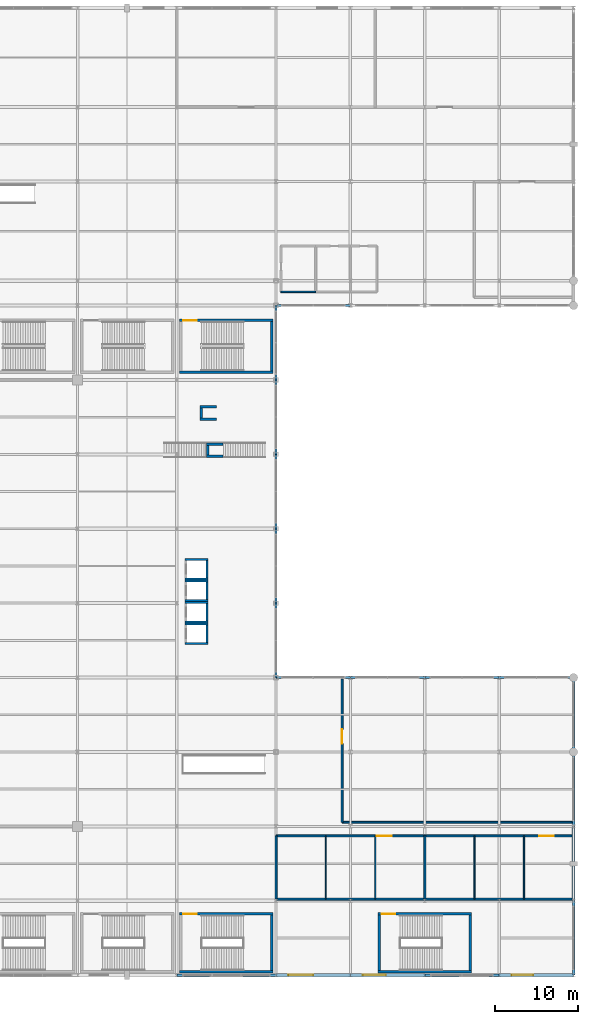
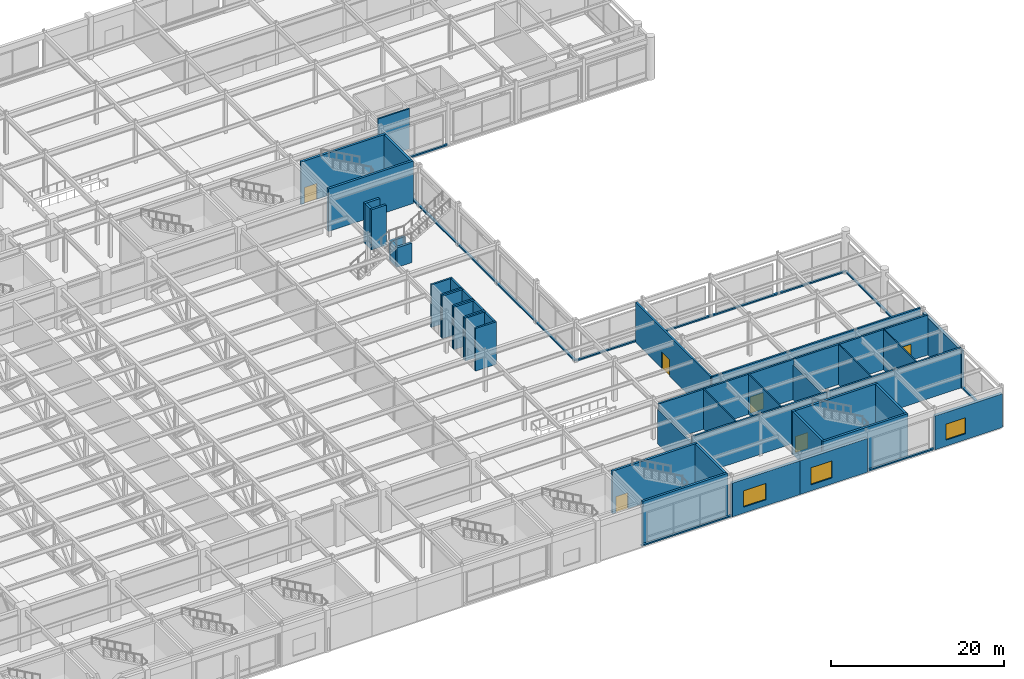
# One storey, part 95 of 108: 60 walls, 6 doors, 3 windows, 9 openings.
"""IFC4 building model written with IfcOpenShell, lengths in metres."""

from ifc_helpers import new_model, si_unit, direction, frame, frame_2d, origin, place, context, subcontext, project, spatial, rectangle, extrude, material, layer, layer_set, type_object, element, fill, save


model = new_model("IFC4")

# Units and contexts
model_context = context("Model", 3, precision=1e-05, world=origin(), true_north=direction((0.0, 1.0)))
body_context = subcontext(model_context, "Body", "Model", "MODEL_VIEW")
ifc_project = project(units=[si_unit("LENGTHUNIT", "METRE"), si_unit("AREAUNIT", "SQUARE_METRE"), si_unit("VOLUMEUNIT", "CUBIC_METRE"), si_unit("PLANEANGLEUNIT", "RADIAN"), si_unit("MASSUNIT", "GRAM", prefix="KILO")], contexts=[model_context])

# Site, building, storey
site_placement = place(None, origin())
site = spatial("IfcSite", under=ifc_project, at=site_placement, CompositionType="ELEMENT")
building_placement = place(site_placement, origin())
building = spatial("IfcBuilding", under=site, at=building_placement, Name="Kaldorvane Square Convention Centre", CompositionType="ELEMENT")
storey_placement = place(building_placement, frame((0.0, 0.0, 12.0)))
storey = spatial("IfcBuildingStorey", under=building, at=storey_placement, Name="L02", CompositionType="ELEMENT", Elevation=12.0)

# Walls
ifc_material_1 = material(Name="Reinforced Concrete Masonry Acoustic Partition", Category="masonry")
ifc_layer_1 = layer(ifc_material_1, 0.2400054931640625)
ifc_layer_set_1 = layer_set([ifc_layer_1], Name="Reinforced Concrete Masonry Acoustic Partition")
wall_type_1 = type_object("IfcWallType", Name="WL-ACO-240", PredefinedType="PARTITIONING", material=ifc_layer_set_1)
wall_1_placement = place(storey_placement, frame((138.0, 9.199996948242188, 0.0), z_axis=(0.0, 0.0, 1.0), x_axis=(1.0, 0.0, 0.0)))
element("IfcWall", 1, at=wall_1_placement, inside=storey, type_object=wall_type_1, Name="Meeting Room 205 S Wall", PredefinedType="PARTITIONING", context=body_context, shape_type="SweptSolid", body=[
    extrude(rectangle(XDim=18.0, YDim=0.2400054931640625, at=frame_2d((9.0, 0.0))), origin(), (0.0, 0.0, 1.0), 5.649993896484375),
])
wall_2_placement = place(storey_placement, frame((156.0, 9.199996948242188, 0.0), z_axis=(0.0, 0.0, 1.0), x_axis=(0.0, 1.0, 0.0)))
element("IfcWall", 2, at=wall_2_placement, inside=storey, type_object=wall_type_1, Name="Meeting Room 205 E Wall", PredefinedType="PARTITIONING", context=body_context, shape_type="SweptSolid", body=[
    extrude(rectangle(XDim=7.6500091552734375, YDim=0.2400054931640625, at=frame_2d((3.82501220703125, 0.0))), origin(), (0.0, 0.0, 1.0), 4.88299560546875),
])

# Wall, opening, door
wall_3_placement = place(storey_placement, frame((156.0, 16.850006103515625, 0.0), z_axis=(0.0, 0.0, 1.0), x_axis=(-1.0, 0.0, 0.0)))
wall_3 = element("IfcWall", 3, at=wall_3_placement, inside=storey, type_object=wall_type_1, Name="Meeting Room 205 N Wall", PredefinedType="PARTITIONING", context=body_context, shape_type="SweptSolid", body=[
    extrude(rectangle(XDim=18.0, YDim=0.2400054931640625, at=frame_2d((9.0, 0.0))), origin(), (0.0, 0.0, 1.0), 5.649993896484375),
])
opening_1_placement = place(wall_3_placement, frame((4.0, 0.0, 0.0)))
opening_1 = element("IfcOpeningElement", 4, at=opening_1_placement, cuts=wall_3, Name="Opening ID-06", PredefinedType="OPENING", context=body_context, shape_type="SweptSolid", body=[
    extrude(rectangle(XDim=1.8000030517578125, YDim=2.3000030517578125, at=frame_2d((0.899993896484375, 1.149993896484375))), frame((0.0, 0.135009765625, 0.0), z_axis=(0.0, -1.0, 0.0), x_axis=(1.0, 0.0, 0.0)), (0.0, 0.0, 1.0), 0.2700042724609375),
])
ifc_material_2 = material(Name="Architectural Solid-Core White Oak")
door_type_1 = type_object("IfcDoorType", Name="DR-MEET-1800X2300", OperationType="DOUBLE_DOOR_SINGLE_SWING", PredefinedType="DOOR", material=ifc_material_2)
door_1_placement = place(opening_1_placement, origin())
door_1 = element("IfcDoor", 5, at=door_1_placement, inside=storey, type_object=door_type_1, Name="Meeting Room 205 Door 1", OperationType="DOUBLE_DOOR_SINGLE_SWING", OverallHeight=2.3000030517578125, OverallWidth=1.8000030517578125, PredefinedType="DOOR", context=body_context, shape_type="SweptSolid", body=[
    extrude(rectangle(XDim=1.8000030517578125, YDim=2.3000030517578125, at=frame_2d((0.899993896484375, 1.149993896484375))), frame((0.0, 0.024993896484375, 0.0), z_axis=(0.0, -1.0, 0.0), x_axis=(1.0, 0.0, 0.0)), (0.0, 0.0, 1.0), 0.0500030517578125),
])
fill(opening_1, door_1)

# Walls
wall_4_placement = place(storey_placement, frame((138.0, 16.850006103515625, 0.0), z_axis=(0.0, 0.0, 1.0), x_axis=(0.0, -1.0, 0.0)))
element("IfcWall", 6, at=wall_4_placement, inside=storey, type_object=wall_type_1, Name="Meeting Room 205 W Wall", PredefinedType="PARTITIONING", context=body_context, shape_type="SweptSolid", body=[
    extrude(rectangle(XDim=7.6500091552734375, YDim=0.2400054931640625, at=frame_2d((3.82501220703125, 0.0))), origin(), (0.0, 0.0, 1.0), 4.88299560546875),
])
wall_5_placement = place(storey_placement, frame((156.0, 9.199996948242188, 0.0), z_axis=(0.0, 0.0, 1.0), x_axis=(1.0, 0.0, 0.0)))
element("IfcWall", 7, at=wall_5_placement, inside=storey, type_object=wall_type_1, Name="Meeting Room 206 S Wall", PredefinedType="PARTITIONING", context=body_context, shape_type="SweptSolid", body=[
    extrude(rectangle(XDim=17.80999755859375, YDim=0.2400054931640625, at=frame_2d((8.904998779296875, 0.0))), origin(), (0.0, 0.0, 1.0), 5.649993896484375),
])

# Wall, opening, door
wall_6_placement = place(storey_placement, frame((173.80999755859375, 16.850006103515625, 0.0), z_axis=(0.0, 0.0, 1.0), x_axis=(-1.0, 0.0, 0.0)))
wall_6 = element("IfcWall", 8, at=wall_6_placement, inside=storey, type_object=wall_type_1, Name="Meeting Room 206 N Wall", PredefinedType="PARTITIONING", context=body_context, shape_type="SweptSolid", body=[
    extrude(rectangle(XDim=17.80999755859375, YDim=0.2400054931640625, at=frame_2d((8.904998779296875, 0.0))), origin(), (0.0, 0.0, 1.0), 5.649993896484375),
])
opening_2_placement = place(wall_6_placement, frame((2.1999969482421875, 0.0, 0.0)))
opening_2 = element("IfcOpeningElement", 9, at=opening_2_placement, cuts=wall_6, Name="Opening ID-06", PredefinedType="OPENING", context=body_context, shape_type="SweptSolid", body=[
    extrude(rectangle(XDim=1.8000030517578125, YDim=2.3000030517578125, at=frame_2d((0.899993896484375, 1.149993896484375))), frame((0.0, 0.135009765625, 0.0), z_axis=(0.0, -1.0, 0.0), x_axis=(1.0, 0.0, 0.0)), (0.0, 0.0, 1.0), 0.2700042724609375),
])
door_2_placement = place(opening_2_placement, origin())
door_2 = element("IfcDoor", 10, at=door_2_placement, inside=storey, type_object=door_type_1, Name="Meeting Room 206 Door 1", OperationType="DOUBLE_DOOR_SINGLE_SWING", OverallHeight=2.3000030517578125, OverallWidth=1.8000030517578125, PredefinedType="DOOR", context=body_context, shape_type="SweptSolid", body=[
    extrude(rectangle(XDim=1.8000030517578125, YDim=2.3000030517578125, at=frame_2d((0.899993896484375, 1.149993896484375))), frame((0.0, 0.024993896484375, 0.0), z_axis=(0.0, -1.0, 0.0), x_axis=(1.0, 0.0, 0.0)), (0.0, 0.0, 1.0), 0.0500030517578125),
])
fill(opening_2, door_2)

# Wall
wall_7_placement = place(storey_placement, frame((146.0, 18.5, 0.0), z_axis=(0.0, 0.0, 1.0), x_axis=(1.0, 0.0, 0.0)))
element("IfcWall", 11, at=wall_7_placement, inside=storey, type_object=wall_type_1, Name="Meeting Room 207 S Wall", PredefinedType="PARTITIONING", context=body_context, shape_type="SweptSolid", body=[
    extrude(rectangle(XDim=27.80999755859375, YDim=0.2400054931640625, at=frame_2d((13.904998779296875, 0.0))), origin(), (0.0, 0.0, 1.0), 5.649993896484375),
])

# Wall, opening, door
wall_8_placement = place(storey_placement, frame((146.0, 35.80000305175781, 0.0), z_axis=(0.0, 0.0, 1.0), x_axis=(0.0, -1.0, 0.0)))
wall_8 = element("IfcWall", 12, at=wall_8_placement, inside=storey, type_object=wall_type_1, Name="Meeting Room 207 W Wall", PredefinedType="PARTITIONING", context=body_context, shape_type="SweptSolid", body=[
    extrude(rectangle(XDim=17.300003051757812, YDim=0.2400054931640625, at=frame_2d((8.649993896484375, 0.0))), origin(), (0.0, 0.0, 1.0), 5.649993896484375),
])
opening_3_placement = place(wall_8_placement, frame((6.029998779296875, 0.0, 0.0)))
opening_3 = element("IfcOpeningElement", 13, at=opening_3_placement, cuts=wall_8, Name="Opening ID-06", PredefinedType="OPENING", context=body_context, shape_type="SweptSolid", body=[
    extrude(rectangle(XDim=1.8000030517578125, YDim=2.3000030517578125, at=frame_2d((0.899993896484375, 1.149993896484375))), frame((0.0, 0.135009765625, 0.0), z_axis=(0.0, -1.0, 0.0), x_axis=(1.0, 0.0, 0.0)), (0.0, 0.0, 1.0), 0.2700042724609375),
])
door_3_placement = place(opening_3_placement, origin())
door_3 = element("IfcDoor", 14, at=door_3_placement, inside=storey, type_object=door_type_1, Name="Meeting Room 207 Door 1", OperationType="DOUBLE_DOOR_SINGLE_SWING", OverallHeight=2.3000030517578125, OverallWidth=1.8000030517578125, PredefinedType="DOOR", context=body_context, shape_type="SweptSolid", body=[
    extrude(rectangle(XDim=1.8000030517578125, YDim=2.3000030517578125, at=frame_2d((0.899993896484375, 1.149993896484375))), frame((0.0, 0.024993896484375, 0.0), z_axis=(0.0, -1.0, 0.0), x_axis=(1.0, 0.0, 0.0)), (0.0, 0.0, 1.0), 0.0500030517578125),
])
fill(opening_3, door_3)

# Wall
ifc_material_3 = material(Name="Fire-Rated Gypsum Board on Acoustic Steel Studs", Category="steel")
ifc_layer_2 = layer(ifc_material_3, 0.1999969482421875)
ifc_layer_set_2 = layer_set([ifc_layer_2], Name="Fire-Rated Gypsum Board on Acoustic Steel Studs")
wall_type_2 = type_object("IfcWallType", Name="WL-CORR-200", PredefinedType="PARTITIONING", material=ifc_layer_set_2)
wall_9_placement = place(storey_placement, frame((138.60000610351562, 82.64999389648438, 0.0), z_axis=(0.0, 0.0, 1.0), x_axis=(1.0, 0.0, 0.0)))
element("IfcWall", 15, at=wall_9_placement, inside=storey, type_object=wall_type_2, Name="East Concourse Men's Restroom (L02) S Wall", PredefinedType="PARTITIONING", context=body_context, shape_type="SweptSolid", body=[
    extrude(rectangle(XDim=4.1999969482421875, YDim=0.1999969482421875, at=frame_2d((2.100006103515625, 0.0))), origin(), (0.0, 0.0, 1.0), 5.649993896484375),
])

# Wall, opening, window
ifc_material_4 = material(Name="Concrete f'c = 42 MPa (Normalweight)", Category="concrete")
ifc_layer_3 = layer(ifc_material_4, 0.3800048828125)
ifc_layer_set_3 = layer_set([ifc_layer_3], Name="Concrete f'c = 42 MPa (Normalweight)")
wall_type_3 = type_object("IfcWallType", Name="WL-EXT-380", PredefinedType="STANDARD", material=ifc_layer_set_3)
wall_10_placement = place(storey_placement, frame((138.0, 0.0, 0.0), z_axis=(0.0, 0.0, 1.0), x_axis=(1.0, 0.0, 0.0)))
wall_10 = element("IfcWall", 16, at=wall_10_placement, inside=storey, type_object=wall_type_3, Name="South Square Brutalist Facade Wall (L02)", PredefinedType="STANDARD", context=body_context, shape_type="SweptSolid", body=[
    extrude(rectangle(XDim=9.0, YDim=0.3800048828125, at=frame_2d((4.5, 0.0))), origin(), (0.0, 0.0, 1.0), 4.746002197265625),
])
opening_4_placement = place(wall_10_placement, frame((1.5, 0.0, 0.850006103515625)))
opening_4 = element("IfcOpeningElement", 17, at=opening_4_placement, cuts=wall_10, Name="Opening W-16", PredefinedType="OPENING", context=body_context, shape_type="SweptSolid", body=[
    extrude(rectangle(XDim=3.0, YDim=2.3000030517578125, at=frame_2d((1.5, 1.149993896484375))), frame((0.0, 0.2050018310546875, 0.0), z_axis=(0.0, -1.0, 0.0), x_axis=(1.0, 0.0, 0.0)), (0.0, 0.0, 1.0), 0.410003662109375),
])
ifc_material_5 = material(Name="Anodized Aluminum and Low-E Insulated Glazing", Category="aluminium")
window_type_1 = type_object("IfcWindowType", Name="WN-POD-3000X2300", PartitioningType="TRIPLE_PANEL_VERTICAL", PredefinedType="WINDOW", material=ifc_material_5)
window_1_placement = place(opening_4_placement, origin())
window_1 = element("IfcWindow", 18, at=window_1_placement, inside=storey, type_object=window_type_1, Name="South Facade Window (L02)", OverallHeight=2.3000030517578125, OverallWidth=3.0, PartitioningType="TRIPLE_PANEL_VERTICAL", PredefinedType="WINDOW", context=body_context, shape_type="SweptSolid", body=[
    extrude(rectangle(XDim=3.0, YDim=2.3000030517578125, at=frame_2d((1.5, 1.149993896484375))), frame((0.0, 0.029998779296875, 0.0), z_axis=(0.0, -1.0, 0.0), x_axis=(1.0, 0.0, 0.0)), (0.0, 0.0, 1.0), 0.05999755859375),
])
fill(opening_4, window_1)

wall_11_placement = place(storey_placement, frame((147.0, 0.0, 0.0), z_axis=(0.0, 0.0, 1.0), x_axis=(1.0, 0.0, 0.0)))
wall_11 = element("IfcWall", 19, at=wall_11_placement, inside=storey, type_object=wall_type_3, Name="South Square Brutalist Facade Wall (L02)", PredefinedType="STANDARD", context=body_context, shape_type="SweptSolid", body=[
    extrude(rectangle(XDim=9.0, YDim=0.3800048828125, at=frame_2d((4.5, 0.0))), origin(), (0.0, 0.0, 1.0), 4.746002197265625),
])
opening_5_placement = place(wall_11_placement, frame((1.5, 0.0, 0.850006103515625)))
opening_5 = element("IfcOpeningElement", 20, at=opening_5_placement, cuts=wall_11, Name="Opening W-17", PredefinedType="OPENING", context=body_context, shape_type="SweptSolid", body=[
    extrude(rectangle(XDim=2.8000030517578125, YDim=2.399993896484375, at=frame_2d((1.399993896484375, 1.1999969482421875))), frame((0.0, 0.2050018310546875, 0.0), z_axis=(0.0, -1.0, 0.0), x_axis=(1.0, 0.0, 0.0)), (0.0, 0.0, 1.0), 0.410003662109375),
])
window_type_2 = type_object("IfcWindowType", Name="WN-POD-2800X2400", PartitioningType="DOUBLE_PANEL_VERTICAL", PredefinedType="WINDOW", material=ifc_material_5)
window_2_placement = place(opening_5_placement, origin())
window_2 = element("IfcWindow", 21, at=window_2_placement, inside=storey, type_object=window_type_2, Name="South Facade Window (L02)", OverallHeight=2.399993896484375, OverallWidth=2.8000030517578125, PartitioningType="DOUBLE_PANEL_VERTICAL", PredefinedType="WINDOW", context=body_context, shape_type="SweptSolid", body=[
    extrude(rectangle(XDim=2.8000030517578125, YDim=2.399993896484375, at=frame_2d((1.399993896484375, 1.1999969482421875))), frame((0.0, 0.029998779296875, 0.0), z_axis=(0.0, -1.0, 0.0), x_axis=(1.0, 0.0, 0.0)), (0.0, 0.0, 1.0), 0.05999755859375),
])
fill(opening_5, window_2)

wall_12_placement = place(storey_placement, frame((165.0, 0.0, 0.0), z_axis=(0.0, 0.0, 1.0), x_axis=(1.0, 0.0, 0.0)))
wall_12 = element("IfcWall", 22, at=wall_12_placement, inside=storey, type_object=wall_type_3, Name="South Square Brutalist Facade Wall (L02)", PredefinedType="STANDARD", context=body_context, shape_type="SweptSolid", body=[
    extrude(rectangle(XDim=9.0, YDim=0.3800048828125, at=frame_2d((4.5, 0.0))), origin(), (0.0, 0.0, 1.0), 4.746002197265625),
])
opening_6_placement = place(wall_12_placement, frame((1.5, 0.0, 0.850006103515625)))
opening_6 = element("IfcOpeningElement", 23, at=opening_6_placement, cuts=wall_12, Name="Opening W-18", PredefinedType="OPENING", context=body_context, shape_type="SweptSolid", body=[
    extrude(rectangle(XDim=2.600006103515625, YDim=2.25, at=frame_2d((1.3000030517578125, 1.125))), frame((0.0, 0.2050018310546875, 0.0), z_axis=(0.0, -1.0, 0.0), x_axis=(1.0, 0.0, 0.0)), (0.0, 0.0, 1.0), 0.410003662109375),
])
window_type_3 = type_object("IfcWindowType", Name="WN-POD-2600X2250", PartitioningType="DOUBLE_PANEL_VERTICAL", PredefinedType="WINDOW", material=ifc_material_5)
window_3_placement = place(opening_6_placement, origin())
window_3 = element("IfcWindow", 24, at=window_3_placement, inside=storey, type_object=window_type_3, Name="South Facade Window (L02)", OverallHeight=2.25, OverallWidth=2.600006103515625, PartitioningType="DOUBLE_PANEL_VERTICAL", PredefinedType="WINDOW", context=body_context, shape_type="SweptSolid", body=[
    extrude(rectangle(XDim=2.600006103515625, YDim=2.25, at=frame_2d((1.3000030517578125, 1.125))), frame((0.0, 0.029998779296875, 0.0), z_axis=(0.0, -1.0, 0.0), x_axis=(1.0, 0.0, 0.0)), (0.0, 0.0, 1.0), 0.05999755859375),
])
fill(opening_6, window_3)

# Walls
wall_13_placement = place(storey_placement, frame((174.0, 9.0, 0.0), z_axis=(0.0, 0.0, 1.0), x_axis=(0.0, 1.0, 0.0)))
element("IfcWall", 25, at=wall_13_placement, inside=storey, type_object=wall_type_3, Name="East Square Brutalist Wing Wall (L02)", PredefinedType="STANDARD", context=body_context, shape_type="SweptSolid", body=[
    extrude(rectangle(XDim=9.0, YDim=0.3800048828125, at=frame_2d((4.5, 0.0))), origin(), (0.0, 0.0, 1.0), 5.2389984130859375),
])
ifc_layer_4 = layer(ifc_material_3, 0.1399993896484375)
ifc_layer_set_4 = layer_set([ifc_layer_4], Name="Fire-Rated Gypsum Board on Acoustic Steel Studs")
wall_type_4 = type_object("IfcWallType", Name="WL-MOV-140", PredefinedType="MOVABLE", material=ifc_layer_set_4)
for number, where, z_axis, x_axis, name in (
    (26, (144.0, 9.25, 0.0), (0.0, 0.0, 1.0), (0.0, 1.0, 0.0), "Operable Acoustic Partition MP-01 (L02)"),
    (27, (150.0, 9.25, 0.0), (0.0, 0.0, 1.0), (0.0, 1.0, 0.0), "Operable Acoustic Partition MP-02 (L02)"),
    (28, (162.0, 9.25, 0.0), (0.0, 0.0, 1.0), (0.0, 1.0, 0.0), "Operable Acoustic Partition MP-03 (L02)"),
    (29, (168.0, 9.25, 0.0), (0.0, 0.0, 1.0), (0.0, 1.0, 0.0), "Operable Acoustic Partition MP-04 (L02)"),
):
    element("IfcWall", number, at=place(storey_placement, frame(where, z_axis=z_axis, x_axis=x_axis)), inside=storey, type_object=wall_type_4, Name=name, PredefinedType="MOVABLE", context=body_context, shape_type="SweptSolid", body=[
        extrude(rectangle(XDim=7.5500030517578125, YDim=0.1399993896484375, at=frame_2d((3.774993896484375, 0.0))), origin(), (0.0, 0.0, 1.0), 5.649993896484375),
    ])
ifc_material_6 = material(Name="Concrete f'c = 35 MPa (Normalweight)", Category="concrete")
ifc_layer_5 = layer(ifc_material_6, 0.279998779296875)
ifc_layer_set_5 = layer_set([ifc_layer_5], Name="Concrete f'c = 35 MPa (Normalweight)")
wall_type_5 = type_object("IfcWallType", Name="WL-PAR-280", PredefinedType="PARAPET", material=ifc_layer_set_5)
wall_14_placement = place(storey_placement, frame((126.0, 0.0, 0.0), z_axis=(0.0, 0.0, 1.0), x_axis=(1.0, 0.0, 0.0)))
element("IfcWall", 30, at=wall_14_placement, inside=storey, type_object=wall_type_5, Name="Curtain-Wall Sill Kerb (L02)", PredefinedType="PARAPET", context=body_context, shape_type="SweptSolid", body=[
    extrude(rectangle(XDim=12.0, YDim=0.279998779296875, at=frame_2d((6.0, 0.0))), origin(), (0.0, 0.0, 1.0), 0.1999969482421875),
])
for number, where, z_axis, x_axis, name in (
    (31, (156.0, 0.0, 0.0), (0.0, 0.0, 1.0), (1.0, 0.0, 0.0), "Curtain-Wall Sill Kerb (L02)"),
    (32, (174.0, 0.0, 0.0), (0.0, 0.0, 1.0), (0.0, 1.0, 0.0), "East Curtain-Wall Sill Kerb (L02)"),
    (33, (174.0, 18.0, 0.0), (0.0, 0.0, 1.0), (0.0, 1.0, 0.0), "East Curtain-Wall Sill Kerb (L02)"),
    (34, (174.0, 27.0, 0.0), (0.0, 0.0, 1.0), (0.0, 1.0, 0.0), "East Curtain-Wall Sill Kerb (L02)"),
    (35, (147.0, 36.0, 0.0), (0.0, 0.0, 1.0), (-1.0, 0.0, 0.0), "Forecourt Glazing Sill (L02)"),
    (36, (156.0, 36.0, 0.0), (0.0, 0.0, 1.0), (-1.0, 0.0, 0.0), "Forecourt Glazing Sill (L02)"),
    (37, (165.0, 36.0, 0.0), (0.0, 0.0, 1.0), (-1.0, 0.0, 0.0), "Forecourt Glazing Sill (L02)"),
    (38, (174.0, 36.0, 0.0), (0.0, 0.0, 1.0), (-1.0, 0.0, 0.0), "Forecourt Glazing Sill (L02)"),
    (39, (138.0, 36.0, 0.0), (0.0, 0.0, 1.0), (0.0, 1.0, 0.0), "Forecourt Glazing Sill (L02)"),
    (40, (138.0, 45.0, 0.0), (0.0, 0.0, 1.0), (0.0, 1.0, 0.0), "Forecourt Glazing Sill (L02)"),
    (41, (138.0, 54.0, 0.0), (0.0, 0.0, 1.0), (0.0, 1.0, 0.0), "Forecourt Glazing Sill (L02)"),
    (42, (138.0, 63.0, 0.0), (0.0, 0.0, 1.0), (0.0, 1.0, 0.0), "Forecourt Glazing Sill (L02)"),
    (43, (138.0, 72.0, 0.0), (0.0, 0.0, 1.0), (0.0, 1.0, 0.0), "Forecourt Glazing Sill (L02)"),
    (44, (138.0, 81.0, 0.0), (0.0, 0.0, 1.0), (1.0, 0.0, 0.0), "Forecourt Glazing Sill (L02)"),
):
    element("IfcWall", number, at=place(storey_placement, frame(where, z_axis=z_axis, x_axis=x_axis)), inside=storey, type_object=wall_type_5, Name=name, PredefinedType="PARAPET", context=body_context, shape_type="SweptSolid", body=[
        extrude(rectangle(XDim=9.0, YDim=0.279998779296875, at=frame_2d((4.5, 0.0))), origin(), (0.0, 0.0, 1.0), 0.1999969482421875),
    ])
ifc_material_7 = material(Name="Concrete f'c = 55 MPa (Normalweight)", Category="concrete")
ifc_layer_6 = layer(ifc_material_7, 0.3000030517578125)
ifc_layer_set_6 = layer_set([ifc_layer_6], Name="Concrete f'c = 55 MPa (Normalweight)")
wall_type_6 = type_object("IfcWallType", Name="WL-SHAFT-300", PredefinedType="SHEAR", material=ifc_layer_set_6)
wall_15_placement = place(storey_placement, frame((137.66000366210938, 0.399993896484375, 0.0), z_axis=(0.0, 0.0, 1.0), x_axis=(-1.0, 0.0, 0.0)))
element("IfcWall", 45, at=wall_15_placement, inside=storey, type_object=wall_type_6, Name="Core Enclosure Wall stair:ST-C10-S (L02)", PredefinedType="SHEAR", context=body_context, shape_type="SweptSolid", body=[
    extrude(rectangle(XDim=11.32000732421875, YDim=0.3000030517578125, at=frame_2d((5.660003662109375, 0.0))), origin(), (0.0, 0.0, 1.0), 6.0),
])

# Wall, opening, door
wall_16_placement = place(storey_placement, frame((137.66000366210938, 7.410003662109375, 0.0), z_axis=(0.0, 0.0, 1.0), x_axis=(-1.0, 0.0, 0.0)))
wall_16 = element("IfcWall", 46, at=wall_16_placement, inside=storey, type_object=wall_type_6, Name="Core Enclosure Wall stair:ST-C10-N (L02)", PredefinedType="SHEAR", context=body_context, shape_type="SweptSolid", body=[
    extrude(rectangle(XDim=11.32000732421875, YDim=0.3000030517578125, at=frame_2d((5.660003662109375, 0.0))), origin(), (0.0, 0.0, 1.0), 6.0),
])
opening_7_placement = place(wall_16_placement, frame((9.220001220703125, 0.0, 0.0)))
opening_7 = element("IfcOpeningElement", 47, at=opening_7_placement, cuts=wall_16, Name="Opening FD90-S2", PredefinedType="OPENING", context=body_context, shape_type="SweptSolid", body=[
    extrude(rectangle(XDim=1.649993896484375, YDim=2.25, at=frame_2d((0.8249969482421875, 1.125))), frame((0.0, 0.165008544921875, 0.0), z_axis=(0.0, -1.0, 0.0), x_axis=(1.0, 0.0, 0.0)), (0.0, 0.0, 1.0), 0.3300018310546875),
])
ifc_material_8 = material(Name="Fire-Rated Hollow Metal Steel", Category="steel")
door_type_2 = type_object("IfcDoorType", Name="DR-STAIR-1650", OperationType="DOUBLE_DOOR_SINGLE_SWING", PredefinedType="DOOR", material=ifc_material_8)
door_4_placement = place(opening_7_placement, origin())
door_4 = element("IfcDoor", 48, at=door_4_placement, inside=storey, type_object=door_type_2, Name="Convention Exit Stair C10 Fire Door (L02)", OperationType="DOUBLE_DOOR_SINGLE_SWING", OverallHeight=2.25, OverallWidth=1.649993896484375, PredefinedType="DOOR", context=body_context, shape_type="SweptSolid", body=[
    extrude(rectangle(XDim=1.649993896484375, YDim=2.25, at=frame_2d((0.8249969482421875, 1.125))), frame((0.0, 0.024993896484375, 0.0), z_axis=(0.0, -1.0, 0.0), x_axis=(1.0, 0.0, 0.0)), (0.0, 0.0, 1.0), 0.0500030517578125),
])
fill(opening_7, door_4)

# Walls
wall_17_placement = place(storey_placement, frame((137.50999450683594, 0.5500030517578125, 0.0), z_axis=(0.0, 0.0, 1.0), x_axis=(0.0, 1.0, 0.0)))
element("IfcWall", 49, at=wall_17_placement, inside=storey, type_object=wall_type_6, Name="Core Enclosure Wall stair:ST-C10-E (L02)", PredefinedType="SHEAR", context=body_context, shape_type="SweptSolid", body=[
    extrude(rectangle(XDim=6.709991455078125, YDim=0.3000030517578125, at=frame_2d((3.3549957275390625, 0.0))), origin(), (0.0, 0.0, 1.0), 6.0),
])
wall_18_placement = place(storey_placement, frame((161.66000366210938, 0.399993896484375, 0.0), z_axis=(0.0, 0.0, 1.0), x_axis=(-1.0, 0.0, 0.0)))
element("IfcWall", 50, at=wall_18_placement, inside=storey, type_object=wall_type_6, Name="Core Enclosure Wall stair:ST-C11-S (L02)", PredefinedType="SHEAR", context=body_context, shape_type="SweptSolid", body=[
    extrude(rectangle(XDim=11.32000732421875, YDim=0.3000030517578125, at=frame_2d((5.660003662109375, 0.0))), origin(), (0.0, 0.0, 1.0), 6.0),
])

# Wall, opening, door
wall_19_placement = place(storey_placement, frame((161.66000366210938, 7.410003662109375, 0.0), z_axis=(0.0, 0.0, 1.0), x_axis=(-1.0, 0.0, 0.0)))
wall_19 = element("IfcWall", 51, at=wall_19_placement, inside=storey, type_object=wall_type_6, Name="Core Enclosure Wall stair:ST-C11-N (L02)", PredefinedType="SHEAR", context=body_context, shape_type="SweptSolid", body=[
    extrude(rectangle(XDim=11.32000732421875, YDim=0.3000030517578125, at=frame_2d((5.660003662109375, 0.0))), origin(), (0.0, 0.0, 1.0), 6.0),
])
opening_8_placement = place(wall_19_placement, frame((9.220001220703125, 0.0, 0.0)))
opening_8 = element("IfcOpeningElement", 52, at=opening_8_placement, cuts=wall_19, Name="Opening FD90-S2", PredefinedType="OPENING", context=body_context, shape_type="SweptSolid", body=[
    extrude(rectangle(XDim=1.649993896484375, YDim=2.25, at=frame_2d((0.8249969482421875, 1.125))), frame((0.0, 0.165008544921875, 0.0), z_axis=(0.0, -1.0, 0.0), x_axis=(1.0, 0.0, 0.0)), (0.0, 0.0, 1.0), 0.3300018310546875),
])
door_5_placement = place(opening_8_placement, origin())
door_5 = element("IfcDoor", 53, at=door_5_placement, inside=storey, type_object=door_type_2, Name="Convention Exit Stair C11 Fire Door (L02)", OperationType="DOUBLE_DOOR_SINGLE_SWING", OverallHeight=2.25, OverallWidth=1.649993896484375, PredefinedType="DOOR", context=body_context, shape_type="SweptSolid", body=[
    extrude(rectangle(XDim=1.649993896484375, YDim=2.25, at=frame_2d((0.8249969482421875, 1.125))), frame((0.0, 0.024993896484375, 0.0), z_axis=(0.0, -1.0, 0.0), x_axis=(1.0, 0.0, 0.0)), (0.0, 0.0, 1.0), 0.0500030517578125),
])
fill(opening_8, door_5)

# Walls
for number, where, z_axis, x_axis, name in (
    (54, (150.49000549316406, 7.2599945068359375, 0.0), (0.0, 0.0, 1.0), (0.0, -1.0, 0.0), "Core Enclosure Wall stair:ST-C11-W (L02)"),
    (55, (161.50999450683594, 0.5500030517578125, 0.0), (0.0, 0.0, 1.0), (0.0, 1.0, 0.0), "Core Enclosure Wall stair:ST-C11-E (L02)"),
):
    element("IfcWall", number, at=place(storey_placement, frame(where, z_axis=z_axis, x_axis=x_axis)), inside=storey, type_object=wall_type_6, Name=name, PredefinedType="SHEAR", context=body_context, shape_type="SweptSolid", body=[
        extrude(rectangle(XDim=6.709991455078125, YDim=0.3000030517578125, at=frame_2d((3.3549957275390625, 0.0))), origin(), (0.0, 0.0, 1.0), 6.0),
    ])
wall_20_placement = place(storey_placement, frame((126.33999633789062, 72.94999694824219, 0.0), z_axis=(0.0, 0.0, 1.0), x_axis=(1.0, 0.0, 0.0)))
element("IfcWall", 56, at=wall_20_placement, inside=storey, type_object=wall_type_6, Name="Core Enclosure Wall stair:ST-C18-S (L02)", PredefinedType="SHEAR", context=body_context, shape_type="SweptSolid", body=[
    extrude(rectangle(XDim=11.32000732421875, YDim=0.3000030517578125, at=frame_2d((5.660003662109375, 0.0))), origin(), (0.0, 0.0, 1.0), 6.0),
])

# Wall, opening, door
wall_21_placement = place(storey_placement, frame((137.66000366210938, 79.21000671386719, 0.0), z_axis=(0.0, 0.0, 1.0), x_axis=(-1.0, 0.0, 0.0)))
wall_21 = element("IfcWall", 57, at=wall_21_placement, inside=storey, type_object=wall_type_6, Name="Core Enclosure Wall stair:ST-C18-N (L02)", PredefinedType="SHEAR", context=body_context, shape_type="SweptSolid", body=[
    extrude(rectangle(XDim=11.32000732421875, YDim=0.3000030517578125, at=frame_2d((5.660003662109375, 0.0))), origin(), (0.0, 0.0, 1.0), 6.0),
])
opening_9_placement = place(wall_21_placement, frame((9.220001220703125, 0.0, 0.0)))
opening_9 = element("IfcOpeningElement", 58, at=opening_9_placement, cuts=wall_21, Name="Opening FD90-S2", PredefinedType="OPENING", context=body_context, shape_type="SweptSolid", body=[
    extrude(rectangle(XDim=1.649993896484375, YDim=2.25, at=frame_2d((0.8249969482421875, 1.125))), frame((0.0, 0.165008544921875, 0.0), z_axis=(0.0, -1.0, 0.0), x_axis=(1.0, 0.0, 0.0)), (0.0, 0.0, 1.0), 0.3300018310546875),
])
door_6_placement = place(opening_9_placement, origin())
door_6 = element("IfcDoor", 59, at=door_6_placement, inside=storey, type_object=door_type_2, Name="Convention Exit Stair C18 Fire Door (L02)", OperationType="DOUBLE_DOOR_SINGLE_SWING", OverallHeight=2.25, OverallWidth=1.649993896484375, PredefinedType="DOOR", context=body_context, shape_type="SweptSolid", body=[
    extrude(rectangle(XDim=1.649993896484375, YDim=2.25, at=frame_2d((0.8249969482421875, 1.125))), frame((0.0, 0.024993896484375, 0.0), z_axis=(0.0, -1.0, 0.0), x_axis=(1.0, 0.0, 0.0)), (0.0, 0.0, 1.0), 0.0500030517578125),
])
fill(opening_9, door_6)

# Walls
wall_22_placement = place(storey_placement, frame((137.50999450683594, 73.10000610351562, 0.0), z_axis=(0.0, 0.0, 1.0), x_axis=(0.0, 1.0, 0.0)))
element("IfcWall", 60, at=wall_22_placement, inside=storey, type_object=wall_type_6, Name="Core Enclosure Wall stair:ST-C18-E (L02)", PredefinedType="SHEAR", context=body_context, shape_type="SweptSolid", body=[
    extrude(rectangle(XDim=5.959991455078125, YDim=0.3000030517578125, at=frame_2d((2.9799957275390625, 0.0))), origin(), (0.0, 0.0, 1.0), 6.0),
])
for number, where, z_axis, x_axis, name in (
    (61, (129.5800018310547, 62.75, 0.0), (0.0, 0.0, 1.0), (1.0, 0.0, 0.0), "East Foyer Grand Stair F3 Support Pier S (L02)"),
    (62, (129.5800018310547, 64.25, 0.0), (0.0, 0.0, 1.0), (1.0, 0.0, 0.0), "East Foyer Grand Stair F3 Support Pier N (L02)"),
):
    element("IfcWall", number, at=place(storey_placement, frame(where, z_axis=z_axis, x_axis=x_axis)), inside=storey, type_object=wall_type_6, Name=name, PredefinedType="SHEAR", context=body_context, shape_type="SweptSolid", body=[
        extrude(rectangle(XDim=2.0, YDim=0.3000030517578125, at=frame_2d((1.0, 0.0))), origin(), (0.0, 0.0, 1.0), 2.7599945068359375),
    ])
wall_23_placement = place(storey_placement, frame((129.72999572753906, 62.899993896484375, 0.0), z_axis=(0.0, 0.0, 1.0), x_axis=(0.0, 1.0, 0.0)))
element("IfcWall", 63, at=wall_23_placement, inside=storey, type_object=wall_type_6, Name="East Foyer Grand Stair F3 Support Pier W (L02)", PredefinedType="SHEAR", context=body_context, shape_type="SweptSolid", body=[
    extrude(rectangle(XDim=1.20001220703125, YDim=0.3000030517578125, at=frame_2d((0.600006103515625, 0.0))), origin(), (0.0, 0.0, 1.0), 2.7599945068359375),
])
for number, where, z_axis, x_axis, name in (
    (64, (128.77999877929688, 67.25, 0.0), (0.0, 0.0, 1.0), (1.0, 0.0, 0.0), "East Foyer Grand Stair F4 Support Pier S (L02)"),
    (65, (128.77999877929688, 68.75, 0.0), (0.0, 0.0, 1.0), (1.0, 0.0, 0.0), "East Foyer Grand Stair F4 Support Pier N (L02)"),
):
    element("IfcWall", number, at=place(storey_placement, frame(where, z_axis=z_axis, x_axis=x_axis)), inside=storey, type_object=wall_type_6, Name=name, PredefinedType="SHEAR", context=body_context, shape_type="SweptSolid", body=[
        extrude(rectangle(XDim=2.0, YDim=0.3000030517578125, at=frame_2d((1.0, 0.0))), origin(), (0.0, 0.0, 1.0), 5.649993896484375),
    ])
wall_24_placement = place(storey_placement, frame((128.92999267578125, 67.39999389648438, 0.0), z_axis=(0.0, 0.0, 1.0), x_axis=(0.0, 1.0, 0.0)))
element("IfcWall", 66, at=wall_24_placement, inside=storey, type_object=wall_type_6, Name="East Foyer Grand Stair F4 Support Pier W (L02)", PredefinedType="SHEAR", context=body_context, shape_type="SweptSolid", body=[
    extrude(rectangle(XDim=1.20001220703125, YDim=0.3000030517578125, at=frame_2d((0.600006103515625, 0.0))), origin(), (0.0, 0.0, 1.0), 5.649993896484375),
])
for number, where, z_axis, x_axis, name in (
    (67, (127.0, 40.125, 0.0), (0.0, 0.0, 1.0), (1.0, 0.0, 0.0), "Core Enclosure Wall lift:EL-C1-S (L02)"),
    (68, (129.8000030517578, 42.475006103515625, 0.0), (0.0, 0.0, 1.0), (-1.0, 0.0, 0.0), "Core Enclosure Wall lift:EL-C1-N (L02)"),
):
    element("IfcWall", number, at=place(storey_placement, frame(where, z_axis=z_axis, x_axis=x_axis)), inside=storey, type_object=wall_type_6, Name=name, PredefinedType="SHEAR", context=body_context, shape_type="SweptSolid", body=[
        extrude(rectangle(XDim=2.8000030517578125, YDim=0.25, at=frame_2d((1.399993896484375, 0.0))), origin(), (0.0, 0.0, 1.0), 6.0),
    ])
wall_25_placement = place(storey_placement, frame((129.6750030517578, 40.25, 0.0), z_axis=(0.0, 0.0, 1.0), x_axis=(0.0, 1.0, 0.0)))
element("IfcWall", 69, at=wall_25_placement, inside=storey, type_object=wall_type_6, Name="Core Enclosure Wall lift:EL-C1-E (L02)", PredefinedType="SHEAR", context=body_context, shape_type="SweptSolid", body=[
    extrude(rectangle(XDim=2.100006103515625, YDim=0.25, at=frame_2d((1.0500030517578125, 0.0))), origin(), (0.0, 0.0, 1.0), 6.0),
])
for number, where, z_axis, x_axis, name in (
    (70, (127.0, 42.725006103515625, 0.0), (0.0, 0.0, 1.0), (1.0, 0.0, 0.0), "Core Enclosure Wall lift:EL-C2-S (L02)"),
    (71, (129.8000030517578, 45.07499694824219, 0.0), (0.0, 0.0, 1.0), (-1.0, 0.0, 0.0), "Core Enclosure Wall lift:EL-C2-N (L02)"),
):
    element("IfcWall", number, at=place(storey_placement, frame(where, z_axis=z_axis, x_axis=x_axis)), inside=storey, type_object=wall_type_6, Name=name, PredefinedType="SHEAR", context=body_context, shape_type="SweptSolid", body=[
        extrude(rectangle(XDim=2.8000030517578125, YDim=0.25, at=frame_2d((1.399993896484375, 0.0))), origin(), (0.0, 0.0, 1.0), 6.0),
    ])
wall_26_placement = place(storey_placement, frame((129.6750030517578, 42.850006103515625, 0.0), z_axis=(0.0, 0.0, 1.0), x_axis=(0.0, 1.0, 0.0)))
element("IfcWall", 72, at=wall_26_placement, inside=storey, type_object=wall_type_6, Name="Core Enclosure Wall lift:EL-C2-E (L02)", PredefinedType="SHEAR", context=body_context, shape_type="SweptSolid", body=[
    extrude(rectangle(XDim=2.0999908447265625, YDim=0.25, at=frame_2d((1.04998779296875, 0.0))), origin(), (0.0, 0.0, 1.0), 6.0),
])
for number, where, z_axis, x_axis, name in (
    (73, (127.0, 45.32499694824219, 0.0), (0.0, 0.0, 1.0), (1.0, 0.0, 0.0), "Core Enclosure Wall lift:EL-C3-S (L02)"),
    (74, (129.8000030517578, 47.67500305175781, 0.0), (0.0, 0.0, 1.0), (-1.0, 0.0, 0.0), "Core Enclosure Wall lift:EL-C3-N (L02)"),
):
    element("IfcWall", number, at=place(storey_placement, frame(where, z_axis=z_axis, x_axis=x_axis)), inside=storey, type_object=wall_type_6, Name=name, PredefinedType="SHEAR", context=body_context, shape_type="SweptSolid", body=[
        extrude(rectangle(XDim=2.8000030517578125, YDim=0.25, at=frame_2d((1.399993896484375, 0.0))), origin(), (0.0, 0.0, 1.0), 6.0),
    ])
wall_27_placement = place(storey_placement, frame((129.6750030517578, 45.44999694824219, 0.0), z_axis=(0.0, 0.0, 1.0), x_axis=(0.0, 1.0, 0.0)))
element("IfcWall", 75, at=wall_27_placement, inside=storey, type_object=wall_type_6, Name="Core Enclosure Wall lift:EL-C3-E (L02)", PredefinedType="SHEAR", context=body_context, shape_type="SweptSolid", body=[
    extrude(rectangle(XDim=2.100006103515625, YDim=0.25, at=frame_2d((1.0500030517578125, 0.0))), origin(), (0.0, 0.0, 1.0), 6.0),
])
for number, where, z_axis, x_axis, name in (
    (76, (127.0, 47.92500305175781, 0.0), (0.0, 0.0, 1.0), (1.0, 0.0, 0.0), "Core Enclosure Wall lift:EL-C4-S (L02)"),
    (77, (129.8000030517578, 50.274993896484375, 0.0), (0.0, 0.0, 1.0), (-1.0, 0.0, 0.0), "Core Enclosure Wall lift:EL-C4-N (L02)"),
):
    element("IfcWall", number, at=place(storey_placement, frame(where, z_axis=z_axis, x_axis=x_axis)), inside=storey, type_object=wall_type_6, Name=name, PredefinedType="SHEAR", context=body_context, shape_type="SweptSolid", body=[
        extrude(rectangle(XDim=2.8000030517578125, YDim=0.25, at=frame_2d((1.399993896484375, 0.0))), origin(), (0.0, 0.0, 1.0), 6.0),
    ])
wall_28_placement = place(storey_placement, frame((129.6750030517578, 48.05000305175781, 0.0), z_axis=(0.0, 0.0, 1.0), x_axis=(0.0, 1.0, 0.0)))
element("IfcWall", 78, at=wall_28_placement, inside=storey, type_object=wall_type_6, Name="Core Enclosure Wall lift:EL-C4-E (L02)", PredefinedType="SHEAR", context=body_context, shape_type="SweptSolid", body=[
    extrude(rectangle(XDim=2.0999908447265625, YDim=0.25, at=frame_2d((1.04998779296875, 0.0))), origin(), (0.0, 0.0, 1.0), 6.0),
])

save(model, "model.ifc")
